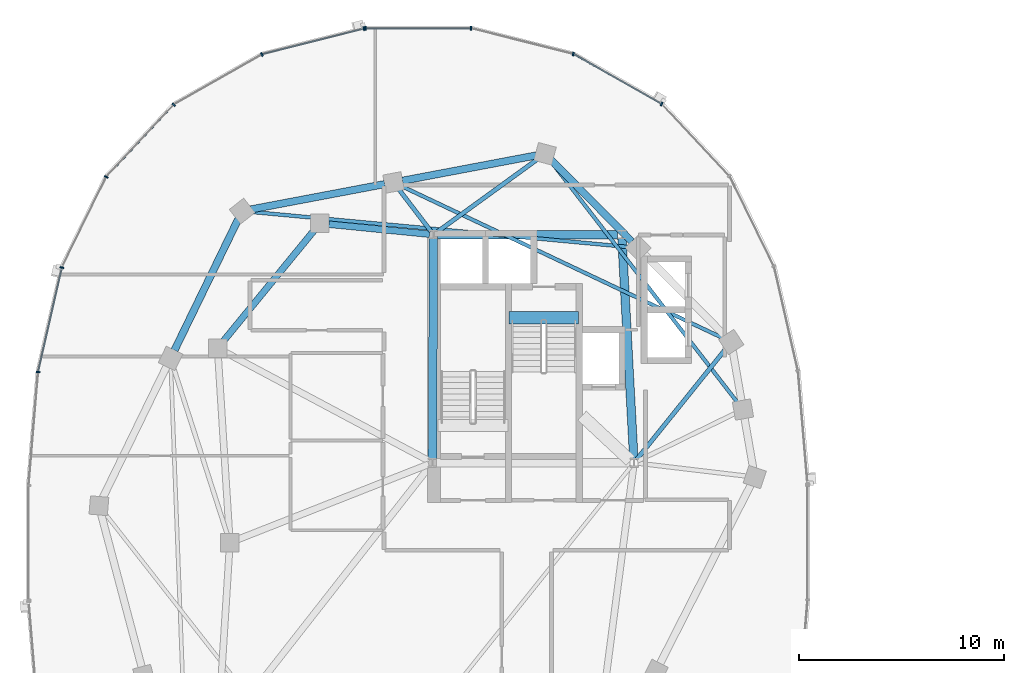
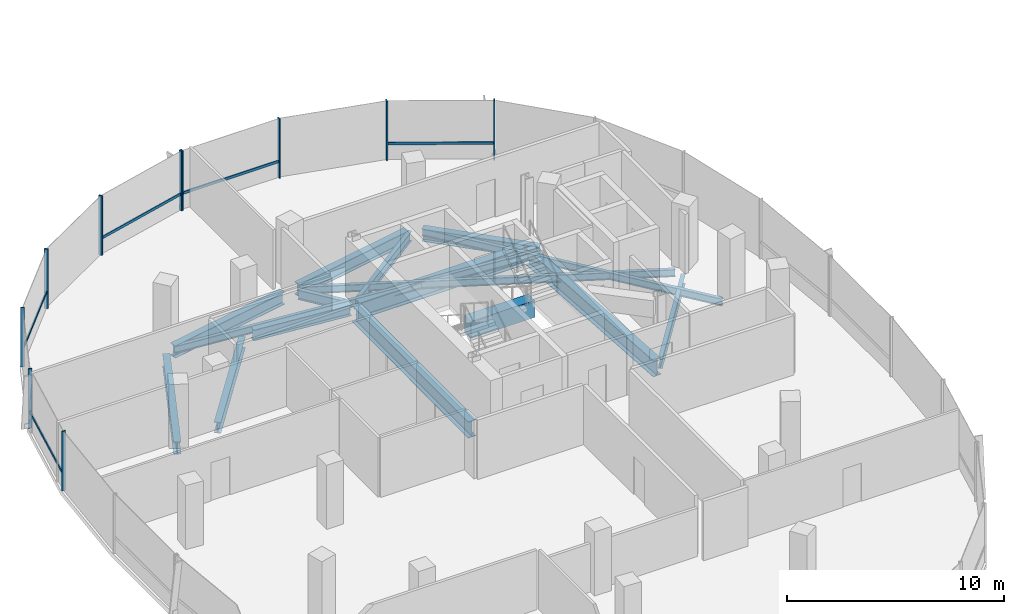
# One storey, part 6 of 25: 16 beams, 15 members, 2 elements without a shape of their own.
"""IFC4 building model written with IfcOpenShell, lengths in metres."""

from ifc_helpers import new_model, si_unit, direction, frame, origin, origin_2d, place, context, subcontext, project, spatial, rectangle, i_section, extrude, material, material_profile, profile_set, type_object, element, aggregate, save


model = new_model("IFC4")

# Units and contexts
model_context = context("Model", 3, precision=1e-05, world=origin(), true_north=direction((0.0, 1.0)))
body_context = subcontext(model_context, "Body", "Model", "MODEL_VIEW")
ifc_project = project(units=[si_unit("LENGTHUNIT", "METRE"), si_unit("AREAUNIT", "SQUARE_METRE"), si_unit("VOLUMEUNIT", "CUBIC_METRE"), si_unit("PLANEANGLEUNIT", "RADIAN"), si_unit("MASSUNIT", "GRAM", prefix="KILO"), si_unit("THERMODYNAMICTEMPERATUREUNIT", "KELVIN"), si_unit("POWERUNIT", "WATT")], contexts=[model_context])

# Site, building, storey
site_placement = place(None, origin())
site = spatial("IfcSite", under=ifc_project, at=site_placement, CompositionType="ELEMENT")
building_placement = place(site_placement, origin())
building = spatial("IfcBuilding", under=site, at=building_placement, Name="Cundina Bronze Exchange", CompositionType="ELEMENT")
storey_placement = place(building_placement, frame((0.0, 0.0, 213.39990234375)))
storey = spatial("IfcBuildingStorey", under=building, at=storey_placement, Name="L56", CompositionType="ELEMENT", Elevation=213.39990234375)

# Beams
ifc_material_1 = material(Name="Concrete C60/75", Category="concrete")
ifc_material_profile_1 = material_profile(ifc_material_1, rectangle(XDim=0.60009765625, YDim=0.949951171875, at=origin_2d()), Name="RC600X950", Category="concrete")
ifc_profile_set_1 = profile_set([ifc_material_profile_1], Name="Concrete C60/75")
beam_type_1 = type_object("IfcBeamType", Name="BM-COUP-RC950", PredefinedType="LINTEL", material=ifc_profile_set_1)
beam_1_placement = place(storey_placement, frame((-27.56005859375, 10.97998046875, -0.474853515625), z_axis=(1.0, 0.0, 0.0), x_axis=(0.0, 1.0, 0.0)))
element("IfcBeam", 1, at=beam_1_placement, inside=storey, type_object=beam_type_1, Name="L56 Stair W2 Landing Header Beam", PredefinedType="LINTEL", context=body_context, shape_type="SweptSolid", body=[
    extrude(rectangle(XDim=0.60009765625, YDim=0.949951171875, at=origin_2d()), origin(), (0.0, 0.0, 1.0), 3.400146484375),
])
ifc_material_2 = material(Name="Steel ASTM A992 Grade 50", Category="steel")
ifc_material_profile_2 = material_profile(ifc_material_2, i_section(OverallWidth=0.2119140625, OverallDepth=0.5439453125, WebThickness=0.01318359375, FlangeThickness=0.021240234375, FilletRadius=0.013916015625, at=origin_2d()), Name="W21X83", Category="steel")
ifc_profile_set_2 = profile_set([ifc_material_profile_2], Name="Steel ASTM A992 Grade 50")
beam_type_2 = type_object("IfcBeamType", Name="BM-FLR-W21A", PredefinedType="BEAM", material=ifc_profile_set_2)
beam_2_placement = place(storey_placement, frame((-21.3271484375, 4.052734375, -0.531982421875), z_axis=(0.627128630072, 0.778915708755, 0.0), x_axis=(-0.778915708755, 0.627128630072, 0.0)))
element("IfcBeam", 2, at=beam_2_placement, inside=storey, type_object=beam_type_2, Name="L56 Leg W Radial Floor Beam 02", PredefinedType="BEAM", context=body_context, shape_type="SweptSolid", body=[
    extrude(i_section(OverallWidth=0.2119140625, OverallDepth=0.5439453125, WebThickness=0.01318359375, FlangeThickness=0.021240234375, FilletRadius=0.013916015625, at=origin_2d()), origin(), (0.0, 0.0, 1.0), 6.9404296875),
])
beam_3_placement = place(storey_placement, frame((-31.09130859375, 15.1650390625, -0.531982421875), z_axis=(0.809709858543, 0.586830422677, 0.0), x_axis=(-0.586830422677, 0.809709858543, 0.0)))
element("IfcBeam", 3, at=beam_3_placement, inside=storey, type_object=beam_type_2, Name="L56 Leg W Radial Floor Beam 04", PredefinedType="BEAM", context=body_context, shape_type="SweptSolid", body=[
    extrude(i_section(OverallWidth=0.2119140625, OverallDepth=0.5439453125, WebThickness=0.01318359375, FlangeThickness=0.021240234375, FilletRadius=0.013916015625, at=origin_2d()), origin(), (0.0, 0.0, 1.0), 6.096923828125),
])
beam_4_placement = place(storey_placement, frame((-31.369140625, 15.205810546875, -0.531982421875), z_axis=(-0.60740437517, 0.794392802727, 0.0), x_axis=(-0.794392802727, -0.60740437517, 0.0)))
element("IfcBeam", 4, at=beam_4_placement, inside=storey, type_object=beam_type_2, Name="L56 Leg W Radial Floor Beam 05", PredefinedType="BEAM", context=body_context, shape_type="SweptSolid", body=[
    extrude(i_section(OverallWidth=0.2119140625, OverallDepth=0.5439453125, WebThickness=0.01318359375, FlangeThickness=0.021240234375, FilletRadius=0.013916015625, at=origin_2d()), origin(), (0.0, 0.0, 1.0), 2.575927734375),
])
ifc_material_profile_3 = material_profile(ifc_material_2, i_section(OverallWidth=0.178955078125, OverallDepth=0.409912109375, WebThickness=0.0087890625, FlangeThickness=0.014404296875, FilletRadius=0.010986328125, at=origin_2d()), Name="W16X45", Category="steel")
ifc_profile_set_3 = profile_set([ifc_material_profile_3], Name="Steel ASTM A992 Grade 50")
beam_type_3 = type_object("IfcBeamType", Name="BM-JST-W16", PredefinedType="JOIST", material=ifc_profile_set_3)
beam_5_placement = place(storey_placement, frame((-16.39306640625, 6.846435546875, -0.46484375), z_axis=(-0.612085793291, 0.790791364174, 0.0), x_axis=(-0.790791364174, -0.612085793291, 0.0)))
element("IfcBeam", 5, at=beam_5_placement, inside=storey, type_object=beam_type_3, Name="L56 Leg W Lobe Floor Joist 01-04", PredefinedType="JOIST", context=body_context, shape_type="SweptSolid", body=[
    extrude(i_section(OverallWidth=0.178955078125, OverallDepth=0.409912109375, WebThickness=0.0087890625, FlangeThickness=0.014404296875, FilletRadius=0.010986328125, at=origin_2d()), origin(), (0.0, 0.0, 1.0), 14.9306640625),
])
beam_6_placement = place(storey_placement, frame((-17.095947265625, 9.9873046875, -0.46484375), z_axis=(-0.904073747204, 0.427376484632, 0.0), x_axis=(-0.427376484632, -0.904073747204, 0.0)))
element("IfcBeam", 6, at=beam_6_placement, inside=storey, type_object=beam_type_3, Name="L56 Leg W Lobe Floor Joist 02-05", PredefinedType="JOIST", context=body_context, shape_type="SweptSolid", body=[
    extrude(i_section(OverallWidth=0.178955078125, OverallDepth=0.409912109375, WebThickness=0.0087890625, FlangeThickness=0.014404296875, FilletRadius=0.010986328125, at=origin_2d()), origin(), (0.0, 0.0, 1.0), 17.374755859375),
])
beam_7_placement = place(storey_placement, frame((-21.68603515625, 14.440673828125, -0.46484375), z_axis=(-0.9957017803, 0.092617302415, 0.0), x_axis=(-0.092617302415, -0.9957017803, 0.0)))
element("IfcBeam", 7, at=beam_7_placement, inside=storey, type_object=beam_type_3, Name="L56 Leg W Lobe Floor Joist 03-06", PredefinedType="JOIST", context=body_context, shape_type="SweptSolid", body=[
    extrude(i_section(OverallWidth=0.178955078125, OverallDepth=0.409912109375, WebThickness=0.0087890625, FlangeThickness=0.014404296875, FilletRadius=0.010986328125, at=origin_2d()), origin(), (0.0, 0.0, 1.0), 18.5576171875),
])
ifc_material_profile_4 = material_profile(ifc_material_2, i_section(OverallWidth=0.324951171875, OverallDepth=0.615966796875, WebThickness=0.013916015625, FlangeThickness=0.021484375, FilletRadius=0.01611328125, at=origin_2d()), Name="W24X117", Category="steel")
ifc_profile_set_4 = profile_set([ifc_material_profile_4], Name="Steel ASTM A992 Grade 50")
beam_type_4 = type_object("IfcBeamType", Name="BM-RING-W24", PredefinedType="USERDEFINED", material=ifc_profile_set_4)
beam_8_placement = place(storey_placement, frame((-31.445068359375, 15.0693359375, -0.56787109375), z_axis=(-0.995123854478, 0.09863323096, 0.0), x_axis=(-0.09863323096, -0.995123854478, 0.0)))
element("IfcBeam", 8, at=beam_8_placement, inside=storey, type_object=beam_type_4, Name="L56 W Inner Structural Ring Girder 01", ObjectType="GIRDER", PredefinedType="USERDEFINED", context=body_context, shape_type="SweptSolid", body=[
    extrude(i_section(OverallWidth=0.324951171875, OverallDepth=0.615966796875, WebThickness=0.013916015625, FlangeThickness=0.021484375, FilletRadius=0.01611328125, at=origin_2d()), origin(), (0.0, 0.0, 1.0), 4.943115234375),
])
beam_9_placement = place(storey_placement, frame((-37.07763671875, 15.26123046875, -0.56787109375), z_axis=(-0.633912590175, -0.77340469873, 0.0), x_axis=(0.77340469873, -0.633912590175, 0.0)))
element("IfcBeam", 9, at=beam_9_placement, inside=storey, type_object=beam_type_4, Name="L56 W Inner Structural Ring Girder 02", ObjectType="GIRDER", PredefinedType="USERDEFINED", context=body_context, shape_type="SweptSolid", body=[
    extrude(i_section(OverallWidth=0.324951171875, OverallDepth=0.615966796875, WebThickness=0.013916015625, FlangeThickness=0.021484375, FilletRadius=0.01611328125, at=origin_2d()), origin(), (0.0, 0.0, 1.0), 7.01123046875),
])
ifc_material_profile_5 = material_profile(ifc_material_2, i_section(OverallWidth=0.35498046875, OverallDepth=0.695068359375, WebThickness=0.015380859375, FlangeThickness=0.02490234375, FilletRadius=0.01806640625, at=origin_2d()), Name="W27X146", Category="steel")
ifc_profile_set_5 = profile_set([ifc_material_profile_5], Name="Steel ASTM A992 Grade 50")
beam_type_5 = type_object("IfcBeamType", Name="BM-RING-W27", PredefinedType="USERDEFINED", material=ifc_profile_set_5)
beam_10_placement = place(storey_placement, frame((-21.55810546875, 14.71142578125, -0.607421875), z_axis=(-0.703211928763, 0.710980297368, 0.0), x_axis=(-0.710980297368, -0.703211928763, 0.0)))
element("IfcBeam", 10, at=beam_10_placement, inside=storey, type_object=beam_type_5, Name="L56 W Perimeter Ring Girder 03", ObjectType="GIRDER", PredefinedType="USERDEFINED", context=body_context, shape_type="SweptSolid", body=[
    extrude(i_section(OverallWidth=0.35498046875, OverallDepth=0.695068359375, WebThickness=0.015380859375, FlangeThickness=0.02490234375, FilletRadius=0.01806640625, at=origin_2d()), origin(), (0.0, 0.0, 1.0), 5.593994140625),
])
beam_11_placement = place(storey_placement, frame((-26.23046875, 18.918701171875, -0.607421875), z_axis=(-0.982565174657, -0.185918470175, 0.0), x_axis=(0.185918470175, -0.982565174657, 0.0)))
element("IfcBeam", 11, at=beam_11_placement, inside=storey, type_object=beam_type_5, Name="L56 W Perimeter Ring Girder 04", ObjectType="GIRDER", PredefinedType="USERDEFINED", context=body_context, shape_type="SweptSolid", body=[
    extrude(i_section(OverallWidth=0.35498046875, OverallDepth=0.695068359375, WebThickness=0.015380859375, FlangeThickness=0.02490234375, FilletRadius=0.01806640625, at=origin_2d()), origin(), (0.0, 0.0, 1.0), 6.655029296875),
])
beam_12_placement = place(storey_placement, frame((-33.63037109375, 17.5185546875, -0.607421875), z_axis=(-0.982573143022, -0.185876353022, 0.0), x_axis=(0.185876353022, -0.982573143022, 0.0)))
element("IfcBeam", 12, at=beam_12_placement, inside=storey, type_object=beam_type_5, Name="L56 W Perimeter Ring Girder 05", ObjectType="GIRDER", PredefinedType="USERDEFINED", context=body_context, shape_type="SweptSolid", body=[
    extrude(i_section(OverallWidth=0.35498046875, OverallDepth=0.695068359375, WebThickness=0.015380859375, FlangeThickness=0.02490234375, FilletRadius=0.01806640625, at=origin_2d()), origin(), (0.0, 0.0, 1.0), 6.6552734375),
])
beam_13_placement = place(storey_placement, frame((-40.79150390625, 15.80615234375, -0.607421875), z_axis=(-0.437173087764, -0.89937739094, 0.0), x_axis=(0.89937739094, -0.437173087764, 0.0)))
element("IfcBeam", 13, at=beam_13_placement, inside=storey, type_object=beam_type_5, Name="L56 W Perimeter Ring Girder 06", ObjectType="GIRDER", PredefinedType="USERDEFINED", context=body_context, shape_type="SweptSolid", body=[
    extrude(i_section(OverallWidth=0.35498046875, OverallDepth=0.695068359375, WebThickness=0.015380859375, FlangeThickness=0.02490234375, FilletRadius=0.01806640625, at=origin_2d()), origin(), (0.0, 0.0, 1.0), 7.1298828125),
])
ifc_material_profile_6 = material_profile(ifc_material_2, i_section(OverallWidth=0.41796875, OverallDepth=0.927001953125, WebThickness=0.019287109375, FlangeThickness=0.031982421875, FilletRadius=0.02392578125, at=origin_2d()), Name="W36X231", Category="steel")
ifc_profile_set_6 = profile_set([ifc_material_profile_6], Name="Steel ASTM A992 Grade 50")
beam_type_6 = type_object("IfcBeamType", Name="BM-WRN-W36B", PredefinedType="USERDEFINED", material=ifc_profile_set_6)
beam_14_placement = place(storey_placement, frame((-21.46044921875, 4.095703125, -0.723388671875), z_axis=(-0.053749317644, 0.998554460634, 0.0), x_axis=(-0.998554460634, -0.053749317644, 0.0)))
element("IfcBeam", 14, at=beam_14_placement, inside=storey, type_object=beam_type_6, Name="L56 W Core Perimeter Tie Girder 2", ObjectType="GIRDER", PredefinedType="USERDEFINED", context=body_context, shape_type="SweptSolid", body=[
    extrude(i_section(OverallWidth=0.41796875, OverallDepth=0.927001953125, WebThickness=0.019287109375, FlangeThickness=0.031982421875, FilletRadius=0.02392578125, at=origin_2d()), origin(), (0.0, 0.0, 1.0), 10.774169921875),
])
beam_15_placement = place(storey_placement, frame((-22.24609375, 15.050048828125, -0.723388671875), z_axis=(-1.0, 0.0, 0.0), x_axis=(0.0, -1.0, 0.0)))
element("IfcBeam", 15, at=beam_15_placement, inside=storey, type_object=beam_type_6, Name="L56 W Core Perimeter Tie Girder 3", ObjectType="GIRDER", PredefinedType="USERDEFINED", context=body_context, shape_type="SweptSolid", body=[
    extrude(i_section(OverallWidth=0.41796875, OverallDepth=0.927001953125, WebThickness=0.019287109375, FlangeThickness=0.031982421875, FilletRadius=0.02392578125, at=origin_2d()), origin(), (0.0, 0.0, 1.0), 8.807861328125),
])
beam_16_placement = place(storey_placement, frame((-31.2509765625, 14.85400390625, -0.723388671875), z_axis=(-0.004470623654, -0.999990006712, 0.0), x_axis=(0.999990006712, -0.004470623654, 0.0)))
element("IfcBeam", 16, at=beam_16_placement, inside=storey, type_object=beam_type_6, Name="L56 W Core Perimeter Tie Girder 4", ObjectType="GIRDER", PredefinedType="USERDEFINED", context=body_context, shape_type="SweptSolid", body=[
    extrude(i_section(OverallWidth=0.41796875, OverallDepth=0.927001953125, WebThickness=0.019287109375, FlangeThickness=0.031982421875, FilletRadius=0.02392578125, at=origin_2d()), origin(), (0.0, 0.0, 1.0), 10.758056640625),
])

# Curtain wall, members
ifc_material_3 = material(Name="Anodised Bronze Aluminium 6063-T6", Category="aluminium")
curtain_wall_type = type_object("IfcCurtainWallType", Name="CWS-UPP-OFF", PredefinedType="NOTDEFINED", material=ifc_material_3)
curtain_wall_1_placement = place(storey_placement, origin())
curtain_wall_1 = element("IfcCurtainWall", 17, at=curtain_wall_1_placement, inside=storey, type_object=curtain_wall_type, Name="L56 CW-05 Curtain Wall Run CWR-L56-W1", PredefinedType="NOTDEFINED")
ifc_material_profile_7 = material_profile(ifc_material_3, rectangle(XDim=0.070068359375, YDim=0.18994140625, at=origin_2d()), Name="AL70X190", Category="aluminium")
ifc_profile_set_7 = profile_set([ifc_material_profile_7], Name="Anodised Bronze Aluminium 6063-T6")
member_type_1 = type_object("IfcMemberType", Name="CWM-MUL-190", PredefinedType="MULLION", material=ifc_profile_set_7)
member_1_placement = place(storey_placement, frame((-20.100341796875, 21.43115234375, 0.0), z_axis=(0.0, 0.0, 1.0), x_axis=(-0.86958112538, 0.493790103568, 0.0)))
member_1 = element("IfcMember", 18, at=member_1_placement, type_object=member_type_1, Name="CW-05 Mullion 5", PredefinedType="MULLION", context=body_context, shape_type="SweptSolid", body=[
    extrude(rectangle(XDim=0.070068359375, YDim=0.18994140625, at=origin_2d()), origin(), (0.0, 0.0, 1.0), 3.340087890625),
])
member_2_placement = place(storey_placement, frame((-24.422607421875, 23.87548828125, 0.0), z_axis=(0.0, 0.0, 1.0), x_axis=(-0.969744325821, 0.244122802168, 0.0)))
member_2 = element("IfcMember", 19, at=member_2_placement, type_object=member_type_1, Name="CW-05 Mullion 6", PredefinedType="MULLION", context=body_context, shape_type="SweptSolid", body=[
    extrude(rectangle(XDim=0.070068359375, YDim=0.18994140625, at=origin_2d()), origin(), (0.0, 0.0, 1.0), 3.340087890625),
])
member_3_placement = place(storey_placement, frame((-29.419921875, 25.125, 0.0), z_axis=(0.0, 0.0, 1.0), x_axis=(-1.0, 0.0, 0.0)))
member_3 = element("IfcMember", 20, at=member_3_placement, type_object=member_type_1, Name="CW-05 Mullion 7", PredefinedType="MULLION", context=body_context, shape_type="SweptSolid", body=[
    extrude(rectangle(XDim=0.070068359375, YDim=0.18994140625, at=origin_2d()), origin(), (0.0, 0.0, 1.0), 3.340087890625),
])
member_4_placement = place(storey_placement, frame((-34.580078125, 25.125, 0.0), z_axis=(0.0, 0.0, 1.0), x_axis=(-1.0, 0.0, 0.0)))
member_4 = element("IfcMember", 21, at=member_4_placement, type_object=member_type_1, Name="CW-05 End Mullion", PredefinedType="MULLION", context=body_context, shape_type="SweptSolid", body=[
    extrude(rectangle(XDim=0.070068359375, YDim=0.18994140625, at=origin_2d()), origin(), (0.0, 0.0, 1.0), 3.340087890625),
])

curtain_wall_2_placement = place(storey_placement, origin())
curtain_wall_2 = element("IfcCurtainWall", 22, at=curtain_wall_2_placement, inside=storey, type_object=curtain_wall_type, Name="L56 CW-05 Curtain Wall Run CWR-L56-W2", PredefinedType="NOTDEFINED")
member_5_placement = place(storey_placement, frame((-34.6484375, 25.116455078125, 0.0), z_axis=(0.0, 0.0, 1.0), x_axis=(-0.969744325821, -0.244122802168, 0.0)))
member_5 = element("IfcMember", 23, at=member_5_placement, type_object=member_type_1, Name="CW-05 Mullion 1", PredefinedType="MULLION", context=body_context, shape_type="SweptSolid", body=[
    extrude(rectangle(XDim=0.070068359375, YDim=0.18994140625, at=origin_2d()), origin(), (0.0, 0.0, 1.0), 3.340087890625),
])
member_6_placement = place(storey_placement, frame((-39.638916015625, 23.850830078125, 0.0), z_axis=(0.0, 0.0, 1.0), x_axis=(-0.86958112538, -0.493790103568, 0.0)))
member_6 = element("IfcMember", 24, at=member_6_placement, type_object=member_type_1, Name="CW-05 Mullion 2", PredefinedType="MULLION", context=body_context, shape_type="SweptSolid", body=[
    extrude(rectangle(XDim=0.070068359375, YDim=0.18994140625, at=origin_2d()), origin(), (0.0, 0.0, 1.0), 3.340087890625),
])
member_7_placement = place(storey_placement, frame((-43.94873046875, 21.392578125, 0.0), z_axis=(0.0, 0.0, 1.0), x_axis=(-0.684292606175, -0.729207535023, 0.0)))
member_7 = element("IfcMember", 25, at=member_7_placement, type_object=member_type_1, Name="CW-05 Mullion 3", PredefinedType="MULLION", context=body_context, shape_type="SweptSolid", body=[
    extrude(rectangle(XDim=0.070068359375, YDim=0.18994140625, at=origin_2d()), origin(), (0.0, 0.0, 1.0), 3.340087890625),
])
member_8_placement = place(storey_placement, frame((-47.245361328125, 17.866455078125, 0.0), z_axis=(0.0, 0.0, 1.0), x_axis=(-0.440566004113, -0.897720221461, 0.0)))
member_8 = element("IfcMember", 26, at=member_8_placement, type_object=member_type_1, Name="CW-05 Mullion 4", PredefinedType="MULLION", context=body_context, shape_type="SweptSolid", body=[
    extrude(rectangle(XDim=0.070068359375, YDim=0.18994140625, at=origin_2d()), origin(), (0.0, 0.0, 1.0), 3.340087890625),
])
member_9_placement = place(storey_placement, frame((-49.40771484375, 13.440673828125, 0.0), z_axis=(0.0, 0.0, 1.0), x_axis=(-0.223250116011, -0.974761194191, 0.0)))
member_9 = element("IfcMember", 27, at=member_9_placement, type_object=member_type_1, Name="CW-05 Mullion 5", PredefinedType="MULLION", context=body_context, shape_type="SweptSolid", body=[
    extrude(rectangle(XDim=0.070068359375, YDim=0.18994140625, at=origin_2d()), origin(), (0.0, 0.0, 1.0), 3.340087890625),
])
member_10_placement = place(storey_placement, frame((-50.572509765625, 8.33056640625, 0.0), z_axis=(0.0, 0.0, 1.0), x_axis=(-0.083677843332, -0.99649285925, 0.0)))
member_10 = element("IfcMember", 28, at=member_10_placement, type_object=member_type_1, Name="CW-05 Mullion 6", PredefinedType="MULLION", context=body_context, shape_type="SweptSolid", body=[
    extrude(rectangle(XDim=0.070068359375, YDim=0.18994140625, at=origin_2d()), origin(), (0.0, 0.0, 1.0), 3.340087890625),
])

# Member
ifc_material_profile_8 = material_profile(ifc_material_3, rectangle(XDim=0.06494140625, YDim=0.14990234375, at=origin_2d()), Name="AL65X150", Category="aluminium")
ifc_profile_set_8 = profile_set([ifc_material_profile_8], Name="Anodised Bronze Aluminium 6063-T6")
member_type_2 = type_object("IfcMemberType", Name="CWM-TRN-150", PredefinedType="USERDEFINED", material=ifc_profile_set_8)
member_11_placement = place(storey_placement, frame((-20.1337890625, 21.4501953125, 0.920166015625), z_axis=(-0.869573748083, 0.493803095013, 0.0), x_axis=(-0.493803095013, -0.869573748083, 0.0)))
member_11 = element("IfcMember", 29, at=member_11_placement, type_object=member_type_2, Name="CW-05 Spandrel Transom 5", ObjectType="TRANSOM", PredefinedType="USERDEFINED", context=body_context, shape_type="SweptSolid", body=[
    extrude(rectangle(XDim=0.06494140625, YDim=0.14990234375, at=origin_2d()), origin(), (0.0, 0.0, 1.0), 4.900146484375),
])

member_12_placement = place(storey_placement, frame((-29.45849609375, 25.125, 0.920166015625), z_axis=(-1.0, 0.0, 0.0), x_axis=(0.0, -1.0, 0.0)))
member_12 = element("IfcMember", 30, at=member_12_placement, type_object=member_type_2, Name="CW-05 Spandrel Transom 7", ObjectType="TRANSOM", PredefinedType="USERDEFINED", context=body_context, shape_type="SweptSolid", body=[
    extrude(rectangle(XDim=0.06494140625, YDim=0.14990234375, at=origin_2d()), origin(), (0.0, 0.0, 1.0), 5.0830078125),
])

aggregate(curtain_wall_1, [member_1, member_11, member_2, member_3, member_4, member_12])

member_13_placement = place(storey_placement, frame((-34.685791015625, 25.107177734375, 0.920166015625), z_axis=(-0.969725738797, -0.244196624699, 0.0), x_axis=(0.244196624699, -0.969725738797, 0.0)))
member_13 = element("IfcMember", 31, at=member_13_placement, type_object=member_type_2, Name="CW-05 Spandrel Transom 1", ObjectType="TRANSOM", PredefinedType="USERDEFINED", context=body_context, shape_type="SweptSolid", body=[
    extrude(rectangle(XDim=0.06494140625, YDim=0.14990234375, at=origin_2d()), origin(), (0.0, 0.0, 1.0), 5.082763671875),
])

member_14_placement = place(storey_placement, frame((-43.97509765625, 21.364501953125, 0.920166015625), z_axis=(-0.684336416554, -0.729166420633, 0.0), x_axis=(0.729166420633, -0.684336416554, 0.0)))
member_14 = element("IfcMember", 32, at=member_14_placement, type_object=member_type_2, Name="CW-05 Spandrel Transom 3", ObjectType="TRANSOM", PredefinedType="USERDEFINED", context=body_context, shape_type="SweptSolid", body=[
    extrude(rectangle(XDim=0.06494140625, YDim=0.14990234375, at=origin_2d()), origin(), (0.0, 0.0, 1.0), 4.76513671875),
])

member_15_placement = place(storey_placement, frame((-49.41650390625, 13.403076171875, 0.920166015625), z_axis=(-0.22328343579, -0.974753562344, 0.0), x_axis=(0.974753562344, -0.22328343579, 0.0)))
member_15 = element("IfcMember", 33, at=member_15_placement, type_object=member_type_2, Name="CW-05 Spandrel Transom 5", ObjectType="TRANSOM", PredefinedType="USERDEFINED", context=body_context, shape_type="SweptSolid", body=[
    extrude(rectangle(XDim=0.06494140625, YDim=0.14990234375, at=origin_2d()), origin(), (0.0, 0.0, 1.0), 5.159912109375),
])

aggregate(curtain_wall_2, [member_5, member_13, member_6, member_7, member_14, member_8, member_9, member_15, member_10])

save(model, "model.ifc")
